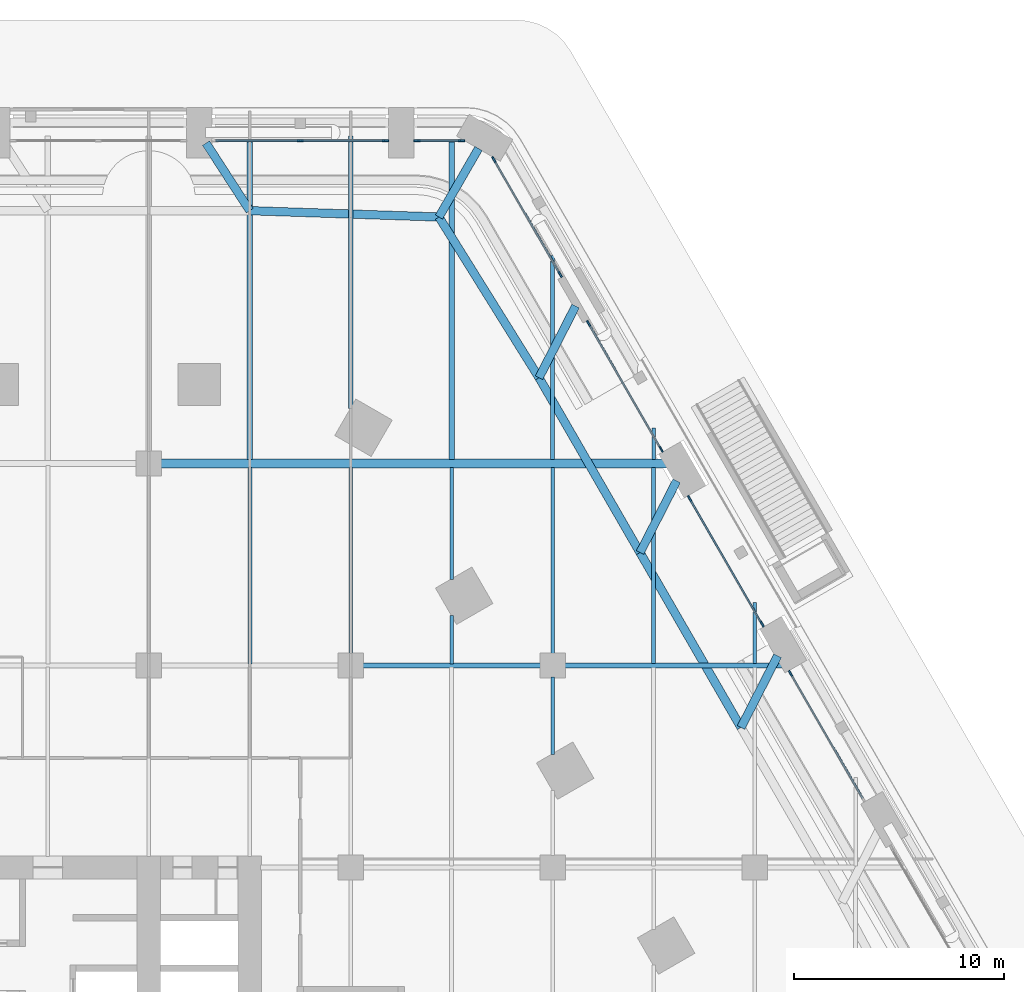
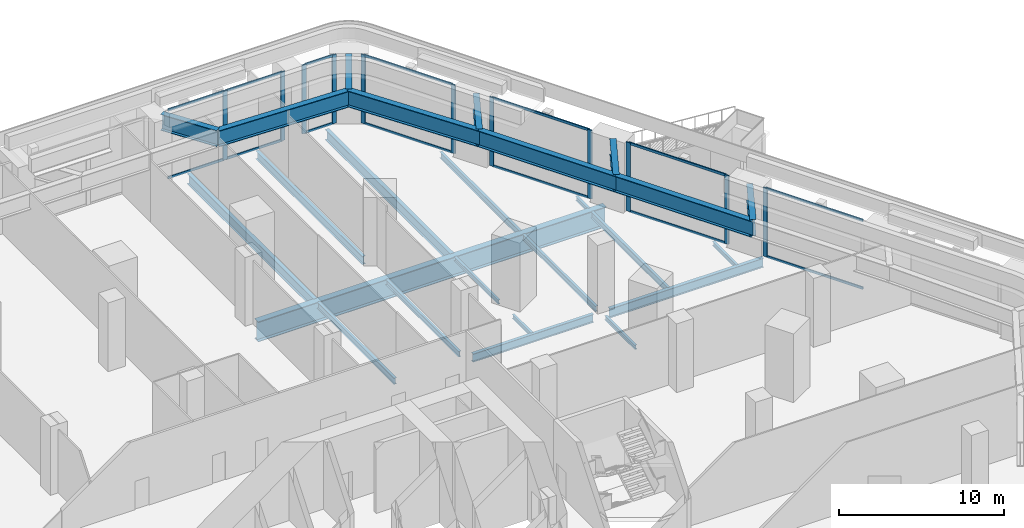
# One storey, part 11 of 34: 25 beams, 25 members, 6 elements without a shape of their own.
"""IFC4 building model written with IfcOpenShell, lengths in metres."""

from ifc_helpers import new_model, si_unit, direction, frame, origin, origin_2d, place, context, subcontext, project, spatial, rectangle, i_section, extrude, material, material_profile, profile_set, type_object, element, aggregate, save


model = new_model("IFC4")

# Units and contexts
model_context = context("Model", 3, precision=1e-05, world=origin(), true_north=direction((0.0, 1.0)))
body_context = subcontext(model_context, "Body", "Model", "MODEL_VIEW")
ifc_project = project(units=[si_unit("LENGTHUNIT", "METRE"), si_unit("AREAUNIT", "SQUARE_METRE"), si_unit("VOLUMEUNIT", "CUBIC_METRE"), si_unit("PLANEANGLEUNIT", "RADIAN"), si_unit("MASSUNIT", "GRAM", prefix="KILO")], contexts=[model_context])

# Site, building, storey
site_placement = place(None, origin())
site = spatial("IfcSite", under=ifc_project, at=site_placement, CompositionType="ELEMENT")
building_placement = place(site_placement, origin())
building = spatial("IfcBuilding", under=site, at=building_placement, Name="Kolab Exchange Tower", CompositionType="ELEMENT")
storey_placement = place(building_placement, frame((0.0, 0.0, 7.0)))
storey = spatial("IfcBuildingStorey", under=building, at=storey_placement, Name="L01", CompositionType="ELEMENT", Elevation=7.0)

# Beams
ifc_material_1 = material(Name="Steel S355", Category="steel")
ifc_material_profile_1 = material_profile(ifc_material_1, i_section(OverallWidth=0.1650390625, OverallDepth=0.31005859375, WebThickness=0.005859375, FlangeThickness=0.009765625, at=origin_2d()), Name="W310X39")
ifc_profile_set_1 = profile_set([ifc_material_profile_1], Name="Steel S355")
beam_type_1 = type_object("IfcBeamType", Name="FLOOR BEAM W310X39", PredefinedType="BEAM", material=ifc_profile_set_1)
beam_1_placement = place(storey_placement, frame((24.0, 19.27392578125, -0.455078125), z_axis=(0.0, 1.0, 0.0), x_axis=(-1.0, 0.0, 0.0)))
element("IfcBeam", 1, at=beam_1_placement, inside=storey, type_object=beam_type_1, Name="beam/L01/fr/113", PredefinedType="BEAM", context=body_context, shape_type="SweptSolid", body=[
    extrude(i_section(OverallWidth=0.1650390625, OverallDepth=0.31005859375, WebThickness=0.005859375, FlangeThickness=0.009765625, at=origin_2d()), origin(), (0.0, 0.0, 1.0), 2.3076171875),
])
beam_2_placement = place(storey_placement, frame((24.0, 23.284912109375, -0.455078125), z_axis=(0.0, 1.0, 0.0), x_axis=(-1.0, 0.0, 0.0)))
element("IfcBeam", 2, at=beam_2_placement, inside=storey, type_object=beam_type_1, Name="beam/L01/fr/114", PredefinedType="BEAM", context=body_context, shape_type="SweptSolid", body=[
    extrude(i_section(OverallWidth=0.1650390625, OverallDepth=0.31005859375, WebThickness=0.005859375, FlangeThickness=0.009765625, at=origin_2d()), origin(), (0.0, 0.0, 1.0), 5.330078125),
])
beam_3_placement = place(storey_placement, frame((28.800048828125, 14.97119140625, -0.455078125), z_axis=(0.0, 1.0, 0.0), x_axis=(-1.0, 0.0, 0.0)))
element("IfcBeam", 3, at=beam_3_placement, inside=storey, type_object=beam_type_1, Name="beam/L01/fr/122", PredefinedType="BEAM", context=body_context, shape_type="SweptSolid", body=[
    extrude(i_section(OverallWidth=0.1650390625, OverallDepth=0.31005859375, WebThickness=0.005859375, FlangeThickness=0.009765625, at=origin_2d()), origin(), (0.0, 0.0, 1.0), 3.668701171875),
])
beam_4_placement = place(storey_placement, frame((33.60009765625, 28.985107421875, -0.455078125), z_axis=(0.0, 1.0, 0.0), x_axis=(-1.0, 0.0, 0.0)))
element("IfcBeam", 4, at=beam_4_placement, inside=storey, type_object=beam_type_1, Name="beam/L01/fr/133", PredefinedType="BEAM", context=body_context, shape_type="SweptSolid", body=[
    extrude(i_section(OverallWidth=0.1650390625, OverallDepth=0.31005859375, WebThickness=0.005859375, FlangeThickness=0.009765625, at=origin_2d()), origin(), (0.0, 0.0, 1.0), 1.51025390625),
])
beam_5_placement = place(storey_placement, frame((38.39990234375, 19.287109375, -0.455078125), z_axis=(0.0, 1.0, 0.0), x_axis=(-1.0, 0.0, 0.0)))
element("IfcBeam", 5, at=beam_5_placement, inside=storey, type_object=beam_type_1, Name="beam/L01/fr/139", PredefinedType="BEAM", context=body_context, shape_type="SweptSolid", body=[
    extrude(i_section(OverallWidth=0.1650390625, OverallDepth=0.31005859375, WebThickness=0.005859375, FlangeThickness=0.009765625, at=origin_2d()), origin(), (0.0, 0.0, 1.0), 2.894287109375),
])
ifc_material_profile_2 = material_profile(ifc_material_1, i_section(OverallWidth=0.177978515625, OverallDepth=0.406982421875, WebThickness=0.0078125, FlangeThickness=0.0126953125, at=origin_2d()), Name="W410X60")
ifc_profile_set_2 = profile_set([ifc_material_profile_2], Name="Steel S355")
beam_type_2 = type_object("IfcBeamType", Name="FLOOR BEAM W410X60", PredefinedType="BEAM", material=ifc_profile_set_2)
for number, where, z_axis, x_axis, name in (
    (6, (19.199951171875, 19.760009765625, -0.50341796875), (0.0, 1.0, 0.0), (-1.0, 0.0, 0.0), "beam/L01/fr/105"),
    (7, (28.800048828125, 19.760009765625, -0.50341796875), (0.0, 1.0, 0.0), (-1.0, 0.0, 0.0), "beam/L01/fr/123"),
):
    element("IfcBeam", number, at=place(storey_placement, frame(where, z_axis=z_axis, x_axis=x_axis)), inside=storey, type_object=beam_type_2, Name=name, PredefinedType="BEAM", context=body_context, shape_type="SweptSolid", body=[
        extrude(i_section(OverallWidth=0.177978515625, OverallDepth=0.406982421875, WebThickness=0.0078125, FlangeThickness=0.0126953125, at=origin_2d()), origin(), (0.0, 0.0, 1.0), 8.85498046875),
    ])
ifc_material_profile_3 = material_profile(ifc_material_1, i_section(OverallWidth=0.18994140625, OverallDepth=0.45703125, WebThickness=0.009033203125, FlangeThickness=0.014404296875, at=origin_2d()), Name="W460X74")
ifc_profile_set_3 = profile_set([ifc_material_profile_3], Name="Steel S355")
beam_type_3 = type_object("IfcBeamType", Name="FLOOR BEAM W460X74", PredefinedType="BEAM", material=ifc_profile_set_3)
beam_6_placement = place(storey_placement, frame((14.39990234375, 19.27392578125, -0.528564453125), z_axis=(0.0, 1.0, 0.0), x_axis=(-1.0, 0.0, 0.0)))
element("IfcBeam", 8, at=beam_6_placement, inside=storey, type_object=beam_type_3, Name="beam/L01/fr/097", PredefinedType="BEAM", context=body_context, shape_type="SweptSolid", body=[
    extrude(i_section(OverallWidth=0.18994140625, OverallDepth=0.45703125, WebThickness=0.009033203125, FlangeThickness=0.014404296875, at=origin_2d()), origin(), (0.0, 0.0, 1.0), 9.341064453125),
])
beam_7_placement = place(storey_placement, frame((28.800048828125, 28.985107421875, -0.528564453125), z_axis=(0.0, 1.0, 0.0), x_axis=(-1.0, 0.0, 0.0)))
element("IfcBeam", 9, at=beam_7_placement, inside=storey, type_object=beam_type_3, Name="beam/L01/fr/124", PredefinedType="BEAM", context=body_context, shape_type="SweptSolid", body=[
    extrude(i_section(OverallWidth=0.18994140625, OverallDepth=0.45703125, WebThickness=0.009033203125, FlangeThickness=0.014404296875, at=origin_2d()), origin(), (0.0, 0.0, 1.0), 9.69921875),
])
beam_8_placement = place(storey_placement, frame((33.60009765625, 19.287109375, -0.528564453125), z_axis=(0.0, 1.0, 0.0), x_axis=(-1.0, 0.0, 0.0)))
element("IfcBeam", 10, at=beam_8_placement, inside=storey, type_object=beam_type_3, Name="beam/L01/fr/132", PredefinedType="BEAM", context=body_context, shape_type="SweptSolid", body=[
    extrude(i_section(OverallWidth=0.18994140625, OverallDepth=0.45703125, WebThickness=0.009033203125, FlangeThickness=0.014404296875, at=origin_2d()), origin(), (0.0, 0.0, 1.0), 9.327880859375),
])
ifc_material_profile_4 = material_profile(ifc_material_1, i_section(OverallWidth=0.22802734375, OverallDepth=0.60791015625, WebThickness=0.01123046875, FlangeThickness=0.017333984375, at=origin_2d()), Name="W610X113")
ifc_profile_set_4 = profile_set([ifc_material_profile_4], Name="Steel S355")
beam_type_4 = type_object("IfcBeamType", Name="FLOOR BEAM W610X113", PredefinedType="BEAM", material=ifc_profile_set_4)
beam_9_placement = place(storey_placement, frame((19.199951171875, 31.408447265625, -0.60400390625), z_axis=(0.0, 1.0, 0.0), x_axis=(-1.0, 0.0, 0.0)))
element("IfcBeam", 11, at=beam_9_placement, inside=storey, type_object=beam_type_4, Name="beam/L01/fr/106", PredefinedType="BEAM", context=body_context, shape_type="SweptSolid", body=[
    extrude(i_section(OverallWidth=0.22802734375, OverallDepth=0.60791015625, WebThickness=0.01123046875, FlangeThickness=0.017333984375, at=origin_2d()), origin(), (0.0, 0.0, 1.0), 12.957763671875),
])
ifc_material_profile_5 = material_profile(ifc_material_1, i_section(OverallWidth=0.26708984375, OverallDepth=0.761962890625, WebThickness=0.014404296875, FlangeThickness=0.021484375, at=origin_2d()), Name="W760X173")
ifc_profile_set_5 = profile_set([ifc_material_profile_5], Name="Steel S355")
beam_type_5 = type_object("IfcBeamType", Name="FLOOR BEAM W760X173", PredefinedType="BEAM", material=ifc_profile_set_5)
beam_10_placement = place(storey_placement, frame((14.39990234375, 28.985107421875, -0.680908203125), z_axis=(0.0, 1.0, 0.0), x_axis=(-1.0, 0.0, 0.0)))
element("IfcBeam", 12, at=beam_10_placement, inside=storey, type_object=beam_type_5, Name="beam/L01/fr/098", PredefinedType="BEAM", context=body_context, shape_type="SweptSolid", body=[
    extrude(i_section(OverallWidth=0.26708984375, OverallDepth=0.761962890625, WebThickness=0.014404296875, FlangeThickness=0.021484375, at=origin_2d()), origin(), (0.0, 0.0, 1.0), 15.381103515625),
])
beam_11_placement = place(storey_placement, frame((24.0, 28.985107421875, -0.680908203125), z_axis=(0.0, 1.0, 0.0), x_axis=(-1.0, 0.0, 0.0)))
element("IfcBeam", 13, at=beam_11_placement, inside=storey, type_object=beam_type_5, Name="beam/L01/fr/115", PredefinedType="BEAM", context=body_context, shape_type="SweptSolid", body=[
    extrude(i_section(OverallWidth=0.26708984375, OverallDepth=0.761962890625, WebThickness=0.014404296875, FlangeThickness=0.021484375, at=origin_2d()), origin(), (0.0, 0.0, 1.0), 15.23486328125),
])
ifc_material_profile_6 = material_profile(ifc_material_1, i_section(OverallWidth=0.449951171875, OverallDepth=1.5, WebThickness=0.028076171875, FlangeThickness=0.044921875, at=origin_2d()), Name="PG1500X450")
ifc_profile_set_6 = profile_set([ifc_material_profile_6], Name="Steel S355")
beam_type_6 = type_object("IfcBeamType", Name="FLOOR GIRDER PG1500X450", PredefinedType="BEAM", material=ifc_profile_set_6)
beam_12_placement = place(storey_placement, frame((10.159912109375, 28.800048828125, -1.050048828125), z_axis=(1.0, 0.0, 0.0), x_axis=(0.0, 1.0, 0.0)))
element("IfcBeam", 14, at=beam_12_placement, inside=storey, type_object=beam_type_6, Name="beam/L01/gd/030", PredefinedType="BEAM", context=body_context, shape_type="SweptSolid", body=[
    extrude(i_section(OverallWidth=0.449951171875, OverallDepth=1.5, WebThickness=0.028076171875, FlangeThickness=0.044921875, at=origin_2d()), origin(), (0.0, 0.0, 1.0), 24.435791015625),
])
ifc_material_profile_7 = material_profile(ifc_material_1, i_section(OverallWidth=0.22802734375, OverallDepth=0.60791015625, WebThickness=0.01123046875, FlangeThickness=0.017333984375, at=origin_2d()), Name="W610X113")
ifc_profile_set_7 = profile_set([ifc_material_profile_7], Name="Steel S355")
beam_type_7 = type_object("IfcBeamType", Name="FLOOR GIRDER W610X113", PredefinedType="BEAM", material=ifc_profile_set_7)
beam_13_placement = place(storey_placement, frame((19.760009765625, 19.199951171875, -0.60400390625), z_axis=(1.0, 0.0, 0.0), x_axis=(0.0, 1.0, 0.0)))
element("IfcBeam", 15, at=beam_13_placement, inside=storey, type_object=beam_type_7, Name="beam/L01/gd/037", PredefinedType="BEAM", context=body_context, shape_type="SweptSolid", body=[
    extrude(i_section(OverallWidth=0.22802734375, OverallDepth=0.60791015625, WebThickness=0.01123046875, FlangeThickness=0.017333984375, at=origin_2d()), origin(), (0.0, 0.0, 1.0), 8.47998046875),
])
ifc_material_profile_8 = material_profile(ifc_material_1, i_section(OverallWidth=0.25390625, OverallDepth=0.68408203125, WebThickness=0.012451171875, FlangeThickness=0.018798828125, at=origin_2d()), Name="W690X140")
ifc_profile_set_8 = profile_set([ifc_material_profile_8], Name="Steel S355")
beam_type_8 = type_object("IfcBeamType", Name="FLOOR GIRDER W690X140", PredefinedType="BEAM", material=ifc_profile_set_8)
beam_14_placement = place(storey_placement, frame((29.360107421875, 19.199951171875, -0.64208984375), z_axis=(1.0, 0.0, 0.0), x_axis=(0.0, 1.0, 0.0)))
element("IfcBeam", 16, at=beam_14_placement, inside=storey, type_object=beam_type_8, Name="beam/L01/gd/042", PredefinedType="BEAM", context=body_context, shape_type="SweptSolid", body=[
    extrude(i_section(OverallWidth=0.25390625, OverallDepth=0.68408203125, WebThickness=0.012451171875, FlangeThickness=0.018798828125, at=origin_2d()), origin(), (0.0, 0.0, 1.0), 10.778076171875),
])

# Curtain wall, members
ifc_material_2 = material(Name="Aluminium EN AW-6063 T6", Category="aluminium")
curtain_wall_type = type_object("IfcCurtainWallType", Name="PODIUM STRUCTURAL GLAZING CURTAIN WALL", PredefinedType="NOTDEFINED", material=ifc_material_2)
curtain_wall_1_placement = place(storey_placement, origin())
curtain_wall_1 = element("IfcCurtainWall", 17, at=curtain_wall_1_placement, inside=storey, type_object=curtain_wall_type, Name="cw/L01/F1-4", PredefinedType="NOTDEFINED")
ifc_material_profile_9 = material_profile(ifc_material_2, rectangle(XDim=0.080078125, YDim=0.300048828125, at=origin_2d()), Name="RECT 80X300")
ifc_profile_set_9 = profile_set([ifc_material_profile_9], Name="Aluminium EN AW-6063 T6")
member_type_1 = type_object("IfcMemberType", Name="PODIUM STRUCTURAL GLAZING MULLION 80 X 300", PredefinedType="MULLION", material=ifc_profile_set_9)
member_1_placement = place(storey_placement, frame((16.800048828125, 44.146240234375, 0.0), z_axis=(0.0, 0.0, 1.0), x_axis=(0.0, 1.0, 0.0)))
member_1 = element("IfcMember", 18, at=member_1_placement, type_object=member_type_1, Name="CW5 mullion 2", PredefinedType="MULLION", context=body_context, shape_type="SweptSolid", body=[
    extrude(rectangle(XDim=0.080078125, YDim=0.300048828125, at=origin_2d()), origin(), (0.0, 0.0, 1.0), 5.10009765625),
])
member_2_placement = place(storey_placement, frame((20.85009765625, 44.146240234375, 0.0), z_axis=(0.0, 0.0, 1.0), x_axis=(0.0, 1.0, 0.0)))
member_2 = element("IfcMember", 19, at=member_2_placement, type_object=member_type_1, Name="CW5 mullion 3", PredefinedType="MULLION", context=body_context, shape_type="SweptSolid", body=[
    extrude(rectangle(XDim=0.080078125, YDim=0.300048828125, at=origin_2d()), origin(), (0.0, 0.0, 1.0), 5.10009765625),
])

curtain_wall_2_placement = place(storey_placement, origin())
curtain_wall_2 = element("IfcCurtainWall", 20, at=curtain_wall_2_placement, inside=storey, type_object=curtain_wall_type, Name="cw/L01/F1-5", PredefinedType="NOTDEFINED")
member_3_placement = place(storey_placement, frame((22.35009765625, 44.146240234375, 0.0), z_axis=(0.0, 0.0, 1.0), x_axis=(0.0, 1.0, 0.0)))
member_3 = element("IfcMember", 21, at=member_3_placement, type_object=member_type_1, Name="CW5 mullion 1", PredefinedType="MULLION", context=body_context, shape_type="SweptSolid", body=[
    extrude(rectangle(XDim=0.080078125, YDim=0.300048828125, at=origin_2d()), origin(), (0.0, 0.0, 1.0), 5.10009765625),
])
member_4_placement = place(storey_placement, frame((24.45849609375, 44.146240234375, 0.0), z_axis=(0.0, 0.0, 1.0), x_axis=(0.0, 1.0, 0.0)))
member_4 = element("IfcMember", 22, at=member_4_placement, type_object=member_type_1, Name="CW5 mullion 2", PredefinedType="MULLION", context=body_context, shape_type="SweptSolid", body=[
    extrude(rectangle(XDim=0.080078125, YDim=0.300048828125, at=origin_2d()), origin(), (0.0, 0.0, 1.0), 5.10009765625),
])

curtain_wall_3_placement = place(storey_placement, origin())
curtain_wall_3 = element("IfcCurtainWall", 23, at=curtain_wall_3_placement, inside=storey, type_object=curtain_wall_type, Name="cw/L01/F2-1", PredefinedType="NOTDEFINED")
member_5_placement = place(storey_placement, frame((26.00244140625, 43.254638671875, 0.0), z_axis=(0.0, 0.0, 1.0), x_axis=(0.866025409012, 0.499999990946, 0.0)))
member_5 = element("IfcMember", 24, at=member_5_placement, type_object=member_type_1, Name="CW5 mullion 1", PredefinedType="MULLION", context=body_context, shape_type="SweptSolid", body=[
    extrude(rectangle(XDim=0.080078125, YDim=0.300048828125, at=origin_2d()), origin(), (0.0, 0.0, 1.0), 5.10009765625),
])
member_6_placement = place(storey_placement, frame((29.15673828125, 37.79150390625, 0.0), z_axis=(0.0, 0.0, 1.0), x_axis=(0.866025409012, 0.499999990946, 0.0)))
member_6 = element("IfcMember", 25, at=member_6_placement, type_object=member_type_1, Name="CW5 mullion 2", PredefinedType="MULLION", context=body_context, shape_type="SweptSolid", body=[
    extrude(rectangle(XDim=0.080078125, YDim=0.300048828125, at=origin_2d()), origin(), (0.0, 0.0, 1.0), 5.10009765625),
])

curtain_wall_4_placement = place(storey_placement, origin())
curtain_wall_4 = element("IfcCurtainWall", 26, at=curtain_wall_4_placement, inside=storey, type_object=curtain_wall_type, Name="cw/L01/F2-2", PredefinedType="NOTDEFINED")
member_7_placement = place(storey_placement, frame((30.506591796875, 35.453125, 0.0), z_axis=(0.0, 0.0, 1.0), x_axis=(0.866025392379, 0.500000019755, 0.0)))
member_7 = element("IfcMember", 27, at=member_7_placement, type_object=member_type_1, Name="CW5 mullion 1", PredefinedType="MULLION", context=body_context, shape_type="SweptSolid", body=[
    extrude(rectangle(XDim=0.080078125, YDim=0.300048828125, at=origin_2d()), origin(), (0.0, 0.0, 1.0), 5.10009765625),
])
member_8_placement = place(storey_placement, frame((33.956787109375, 29.4775390625, 0.0), z_axis=(0.0, 0.0, 1.0), x_axis=(0.866025392379, 0.500000019755, 0.0)))
member_8 = element("IfcMember", 28, at=member_8_placement, type_object=member_type_1, Name="CW5 mullion 2", PredefinedType="MULLION", context=body_context, shape_type="SweptSolid", body=[
    extrude(rectangle(XDim=0.080078125, YDim=0.300048828125, at=origin_2d()), origin(), (0.0, 0.0, 1.0), 5.10009765625),
])

curtain_wall_5_placement = place(storey_placement, origin())
curtain_wall_5 = element("IfcCurtainWall", 29, at=curtain_wall_5_placement, inside=storey, type_object=curtain_wall_type, Name="cw/L01/F2-3", PredefinedType="NOTDEFINED")
member_9_placement = place(storey_placement, frame((35.306640625, 27.139404296875, 0.0), z_axis=(0.0, 0.0, 1.0), x_axis=(0.866025392379, 0.500000019755, 0.0)))
member_9 = element("IfcMember", 30, at=member_9_placement, type_object=member_type_1, Name="CW5 mullion 1", PredefinedType="MULLION", context=body_context, shape_type="SweptSolid", body=[
    extrude(rectangle(XDim=0.080078125, YDim=0.300048828125, at=origin_2d()), origin(), (0.0, 0.0, 1.0), 5.10009765625),
])
member_10_placement = place(storey_placement, frame((38.756591796875, 21.163818359375, 0.0), z_axis=(0.0, 0.0, 1.0), x_axis=(0.866025392379, 0.500000019755, 0.0)))
member_10 = element("IfcMember", 31, at=member_10_placement, type_object=member_type_1, Name="CW5 mullion 2", PredefinedType="MULLION", context=body_context, shape_type="SweptSolid", body=[
    extrude(rectangle(XDim=0.080078125, YDim=0.300048828125, at=origin_2d()), origin(), (0.0, 0.0, 1.0), 5.10009765625),
])

# Curtain wall, member
curtain_wall_6_placement = place(storey_placement, origin())
curtain_wall_6 = element("IfcCurtainWall", 32, at=curtain_wall_6_placement, inside=storey, type_object=curtain_wall_type, Name="cw/L01/F2-4", PredefinedType="NOTDEFINED")
member_11_placement = place(storey_placement, frame((40.106689453125, 18.825439453125, 0.0), z_axis=(0.0, 0.0, 1.0), x_axis=(0.866025392379, 0.500000019755, 0.0)))
member_11 = element("IfcMember", 33, at=member_11_placement, type_object=member_type_1, Name="CW5 mullion 1", PredefinedType="MULLION", context=body_context, shape_type="SweptSolid", body=[
    extrude(rectangle(XDim=0.080078125, YDim=0.300048828125, at=origin_2d()), origin(), (0.0, 0.0, 1.0), 5.10009765625),
])

# Member
ifc_material_profile_10 = material_profile(ifc_material_2, rectangle(XDim=0.080078125, YDim=0.179931640625, at=origin_2d()), Name="RECT 80X180")
ifc_profile_set_10 = profile_set([ifc_material_profile_10], Name="Aluminium EN AW-6063 T6")
member_type_2 = type_object("IfcMemberType", Name="PODIUM STRUCTURAL GLAZING TRANSOM 80 X 180", PredefinedType="USERDEFINED", material=ifc_profile_set_10)
member_12_placement = place(storey_placement, frame((12.7900390625, 44.146240234375, 0.0400390625), z_axis=(1.0, 0.0, 0.0), x_axis=(0.0, 1.0, 0.0)))
member_12 = element("IfcMember", 34, at=member_12_placement, type_object=member_type_2, Name="CW5 transom 1.1", ObjectType="TRANSOM", PredefinedType="USERDEFINED", context=body_context, shape_type="SweptSolid", body=[
    extrude(rectangle(XDim=0.080078125, YDim=0.179931640625, at=origin_2d()), origin(), (0.0, 0.0, 1.0), 3.969970703125),
])

member_13_placement = place(storey_placement, frame((12.7900390625, 44.146240234375, 5.06005859375), z_axis=(1.0, 0.0, 0.0), x_axis=(0.0, 1.0, 0.0)))
member_13 = element("IfcMember", 35, at=member_13_placement, type_object=member_type_2, Name="CW5 transom 1.2", ObjectType="TRANSOM", PredefinedType="USERDEFINED", context=body_context, shape_type="SweptSolid", body=[
    extrude(rectangle(XDim=0.080078125, YDim=0.179931640625, at=origin_2d()), origin(), (0.0, 0.0, 1.0), 3.969970703125),
])

member_14_placement = place(storey_placement, frame((16.840087890625, 44.146240234375, 0.0400390625), z_axis=(1.0, 0.0, 0.0), x_axis=(0.0, 1.0, 0.0)))
member_14 = element("IfcMember", 36, at=member_14_placement, type_object=member_type_2, Name="CW5 transom 2.1", ObjectType="TRANSOM", PredefinedType="USERDEFINED", context=body_context, shape_type="SweptSolid", body=[
    extrude(rectangle(XDim=0.080078125, YDim=0.179931640625, at=origin_2d()), origin(), (0.0, 0.0, 1.0), 3.969970703125),
])

member_15_placement = place(storey_placement, frame((16.840087890625, 44.146240234375, 5.06005859375), z_axis=(1.0, 0.0, 0.0), x_axis=(0.0, 1.0, 0.0)))
member_15 = element("IfcMember", 37, at=member_15_placement, type_object=member_type_2, Name="CW5 transom 2.2", ObjectType="TRANSOM", PredefinedType="USERDEFINED", context=body_context, shape_type="SweptSolid", body=[
    extrude(rectangle(XDim=0.080078125, YDim=0.179931640625, at=origin_2d()), origin(), (0.0, 0.0, 1.0), 3.969970703125),
])

aggregate(curtain_wall_1, [member_1, member_2, member_12, member_13, member_14, member_15])

member_16_placement = place(storey_placement, frame((22.389892578125, 44.146240234375, 0.0400390625), z_axis=(1.0, 0.0, 0.0), x_axis=(0.0, 1.0, 0.0)))
member_16 = element("IfcMember", 38, at=member_16_placement, type_object=member_type_2, Name="CW5 transom 1.1", ObjectType="TRANSOM", PredefinedType="USERDEFINED", context=body_context, shape_type="SweptSolid", body=[
    extrude(rectangle(XDim=0.080078125, YDim=0.179931640625, at=origin_2d()), origin(), (0.0, 0.0, 1.0), 2.028564453125),
])

member_17_placement = place(storey_placement, frame((22.389892578125, 44.146240234375, 5.06005859375), z_axis=(1.0, 0.0, 0.0), x_axis=(0.0, 1.0, 0.0)))
member_17 = element("IfcMember", 39, at=member_17_placement, type_object=member_type_2, Name="CW5 transom 1.2", ObjectType="TRANSOM", PredefinedType="USERDEFINED", context=body_context, shape_type="SweptSolid", body=[
    extrude(rectangle(XDim=0.080078125, YDim=0.179931640625, at=origin_2d()), origin(), (0.0, 0.0, 1.0), 2.028564453125),
])

aggregate(curtain_wall_2, [member_3, member_4, member_16, member_17])

member_18_placement = place(storey_placement, frame((26.0224609375, 43.219970703125, 0.0400390625), z_axis=(0.500017654059, -0.866015210969, 0.0), x_axis=(0.866015210969, 0.500017654059, 0.0)))
member_18 = element("IfcMember", 40, at=member_18_placement, type_object=member_type_2, Name="CW5 transom 1.1", ObjectType="TRANSOM", PredefinedType="USERDEFINED", context=body_context, shape_type="SweptSolid", body=[
    extrude(rectangle(XDim=0.080078125, YDim=0.179931640625, at=origin_2d()), origin(), (0.0, 0.0, 1.0), 6.228271484375),
])

member_19_placement = place(storey_placement, frame((26.0224609375, 43.219970703125, 5.06005859375), z_axis=(0.500017654059, -0.866015210969, 0.0), x_axis=(0.866015210969, 0.500017654059, 0.0)))
member_19 = element("IfcMember", 41, at=member_19_placement, type_object=member_type_2, Name="CW5 transom 1.2", ObjectType="TRANSOM", PredefinedType="USERDEFINED", context=body_context, shape_type="SweptSolid", body=[
    extrude(rectangle(XDim=0.080078125, YDim=0.179931640625, at=origin_2d()), origin(), (0.0, 0.0, 1.0), 6.228271484375),
])

aggregate(curtain_wall_3, [member_5, member_6, member_18, member_19])

member_20_placement = place(storey_placement, frame((30.526611328125, 35.41845703125, 0.0400390625), z_axis=(0.50001992892, -0.866013897511, 0.0), x_axis=(0.866013897511, 0.50001992892, 0.0)))
member_20 = element("IfcMember", 42, at=member_20_placement, type_object=member_type_2, Name="CW5 transom 1.1", ObjectType="TRANSOM", PredefinedType="USERDEFINED", context=body_context, shape_type="SweptSolid", body=[
    extrude(rectangle(XDim=0.080078125, YDim=0.179931640625, at=origin_2d()), origin(), (0.0, 0.0, 1.0), 6.820068359375),
])

member_21_placement = place(storey_placement, frame((30.526611328125, 35.41845703125, 5.06005859375), z_axis=(0.50001992892, -0.866013897511, 0.0), x_axis=(0.866013897511, 0.50001992892, 0.0)))
member_21 = element("IfcMember", 43, at=member_21_placement, type_object=member_type_2, Name="CW5 transom 1.2", ObjectType="TRANSOM", PredefinedType="USERDEFINED", context=body_context, shape_type="SweptSolid", body=[
    extrude(rectangle(XDim=0.080078125, YDim=0.179931640625, at=origin_2d()), origin(), (0.0, 0.0, 1.0), 6.820068359375),
])

aggregate(curtain_wall_4, [member_7, member_8, member_20, member_21])

member_22_placement = place(storey_placement, frame((35.32666015625, 27.104736328125, 0.0400390625), z_axis=(0.499993080764, -0.866029398571, 0.0), x_axis=(0.866029398571, 0.499993080764, 0.0)))
member_22 = element("IfcMember", 44, at=member_22_placement, type_object=member_type_2, Name="CW5 transom 1.1", ObjectType="TRANSOM", PredefinedType="USERDEFINED", context=body_context, shape_type="SweptSolid", body=[
    extrude(rectangle(XDim=0.080078125, YDim=0.179931640625, at=origin_2d()), origin(), (0.0, 0.0, 1.0), 6.81982421875),
])

member_23_placement = place(storey_placement, frame((35.32666015625, 27.104736328125, 5.06005859375), z_axis=(0.499993080764, -0.866029398571, 0.0), x_axis=(0.866029398571, 0.499993080764, 0.0)))
member_23 = element("IfcMember", 45, at=member_23_placement, type_object=member_type_2, Name="CW5 transom 1.2", ObjectType="TRANSOM", PredefinedType="USERDEFINED", context=body_context, shape_type="SweptSolid", body=[
    extrude(rectangle(XDim=0.080078125, YDim=0.179931640625, at=origin_2d()), origin(), (0.0, 0.0, 1.0), 6.81982421875),
])

aggregate(curtain_wall_5, [member_9, member_10, member_22, member_23])

member_24_placement = place(storey_placement, frame((40.126708984375, 18.790771484375, 0.0400390625), z_axis=(0.499993080764, -0.866029398571, 0.0), x_axis=(0.866029398571, 0.499993080764, 0.0)))
member_24 = element("IfcMember", 46, at=member_24_placement, type_object=member_type_2, Name="CW5 transom 1.1", ObjectType="TRANSOM", PredefinedType="USERDEFINED", context=body_context, shape_type="SweptSolid", body=[
    extrude(rectangle(XDim=0.080078125, YDim=0.179931640625, at=origin_2d()), origin(), (0.0, 0.0, 1.0), 6.81982421875),
])

member_25_placement = place(storey_placement, frame((40.126708984375, 18.790771484375, 5.06005859375), z_axis=(0.499993080764, -0.866029398571, 0.0), x_axis=(0.866029398571, 0.499993080764, 0.0)))
member_25 = element("IfcMember", 47, at=member_25_placement, type_object=member_type_2, Name="CW5 transom 1.2", ObjectType="TRANSOM", PredefinedType="USERDEFINED", context=body_context, shape_type="SweptSolid", body=[
    extrude(rectangle(XDim=0.080078125, YDim=0.179931640625, at=origin_2d()), origin(), (0.0, 0.0, 1.0), 6.81982421875),
])

aggregate(curtain_wall_6, [member_11, member_24, member_25])

# Beams
ifc_material_profile_11 = material_profile(ifc_material_1, i_section(OverallWidth=0.39990234375, OverallDepth=1.199951171875, WebThickness=0.02490234375, FlangeThickness=0.0400390625, at=origin_2d()), Name="PG1200X400")
ifc_profile_set_11 = profile_set([ifc_material_profile_11], Name="Steel S355")
beam_type_9 = type_object("IfcBeamType", Name="TRANSFER GIRDER PG1200X400", PredefinedType="BEAM", material=ifc_profile_set_11)
beam_15_placement = place(storey_placement, frame((14.39990234375, 40.819091796875, 4.5), z_axis=(-0.543399431625, 0.839474274596, 0.0), x_axis=(-0.839474274596, -0.543399431625, 0.0)))
element("IfcBeam", 48, at=beam_15_placement, inside=storey, type_object=beam_type_9, Name="beam/L01/tg/P2-F1-09", PredefinedType="BEAM", context=body_context, shape_type="SweptSolid", body=[
    extrude(i_section(OverallWidth=0.39990234375, OverallDepth=1.199951171875, WebThickness=0.02490234375, FlangeThickness=0.0400390625, at=origin_2d()), origin(), (0.0, 0.0, 1.0), 3.826171875),
])
beam_16_placement = place(storey_placement, frame((23.392822265625, 40.517822265625, 4.5), z_axis=(0.50004282833, 0.866000675424, 0.0), x_axis=(-0.866000675424, 0.50004282833, 0.0)))
element("IfcBeam", 49, at=beam_16_placement, inside=storey, type_object=beam_type_9, Name="beam/L01/tg/P2-F2-01", PredefinedType="BEAM", context=body_context, shape_type="SweptSolid", body=[
    extrude(i_section(OverallWidth=0.39990234375, OverallDepth=1.199951171875, WebThickness=0.02490234375, FlangeThickness=0.0400390625, at=origin_2d()), origin(), (0.0, 0.0, 1.0), 3.760009765625),
])
for number, where, z_axis, x_axis, name in (
    (50, (28.150390625, 32.88037109375, 4.5), (0.455209992667, 0.890384109571, 0.0), (-0.890384109571, 0.455209992667, 0.0), "beam/L01/tg/P2-F2-03"),
    (51, (32.950439453125, 24.56640625, 4.5), (0.455209992667, 0.890384109571, 0.0), (-0.890384109571, 0.455209992667, 0.0), "beam/L01/tg/P2-F2-05"),
):
    element("IfcBeam", number, at=place(storey_placement, frame(where, z_axis=z_axis, x_axis=x_axis)), inside=storey, type_object=beam_type_9, Name=name, PredefinedType="BEAM", context=body_context, shape_type="SweptSolid", body=[
        extrude(i_section(OverallWidth=0.39990234375, OverallDepth=1.199951171875, WebThickness=0.02490234375, FlangeThickness=0.0400390625, at=origin_2d()), origin(), (0.0, 0.0, 1.0), 3.826171875),
    ])
beam_17_placement = place(storey_placement, frame((37.75048828125, 16.252685546875, 4.5), z_axis=(0.455235856288, 0.890370886288, 0.0), x_axis=(-0.890370886288, 0.455235856288, 0.0)))
element("IfcBeam", 52, at=beam_17_placement, inside=storey, type_object=beam_type_9, Name="beam/L01/tg/P2-F2-07", PredefinedType="BEAM", context=body_context, shape_type="SweptSolid", body=[
    extrude(i_section(OverallWidth=0.39990234375, OverallDepth=1.199951171875, WebThickness=0.02490234375, FlangeThickness=0.0400390625, at=origin_2d()), origin(), (0.0, 0.0, 1.0), 3.825927734375),
])
for number, where, z_axis, x_axis, name in (
    (53, (14.39990234375, 40.819091796875, 4.5), (0.999439321882, -0.033481963437, 0.0), (0.033481963437, 0.999439321882, 0.0), "beam/L01/rg/P2-F1-09"),
    (54, (23.392822265625, 40.517822265625, 4.5), (0.528732569024, -0.848788472149, 0.0), (0.848788472149, 0.528732569024, 0.0), "beam/L01/rg/P2-F2-01"),
):
    element("IfcBeam", number, at=place(storey_placement, frame(where, z_axis=z_axis, x_axis=x_axis)), inside=storey, type_object=beam_type_9, Name=name, PredefinedType="BEAM", context=body_context, shape_type="SweptSolid", body=[
        extrude(i_section(OverallWidth=0.39990234375, OverallDepth=1.199951171875, WebThickness=0.02490234375, FlangeThickness=0.0400390625, at=origin_2d()), origin(), (0.0, 0.0, 1.0), 8.998046875),
    ])
beam_18_placement = place(storey_placement, frame((28.150390625, 32.88037109375, 4.5), z_axis=(0.499998358424, -0.866026351547, 0.0), x_axis=(0.866026351547, 0.499998358424, 0.0)))
element("IfcBeam", 55, at=beam_18_placement, inside=storey, type_object=beam_type_9, Name="beam/L01/rg/P2-F2-03", PredefinedType="BEAM", context=body_context, shape_type="SweptSolid", body=[
    extrude(i_section(OverallWidth=0.39990234375, OverallDepth=1.199951171875, WebThickness=0.02490234375, FlangeThickness=0.0400390625, at=origin_2d()), origin(), (0.0, 0.0, 1.0), 9.60009765625),
])
beam_19_placement = place(storey_placement, frame((32.950439453125, 24.56640625, 4.5), z_axis=(0.500009370536, -0.866019993635, 0.0), x_axis=(0.866019993635, 0.500009370536, 0.0)))
element("IfcBeam", 56, at=beam_19_placement, inside=storey, type_object=beam_type_9, Name="beam/L01/rg/P2-F2-05", PredefinedType="BEAM", context=body_context, shape_type="SweptSolid", body=[
    extrude(i_section(OverallWidth=0.39990234375, OverallDepth=1.199951171875, WebThickness=0.02490234375, FlangeThickness=0.0400390625, at=origin_2d()), origin(), (0.0, 0.0, 1.0), 9.599853515625),
])

save(model, "model.ifc")
